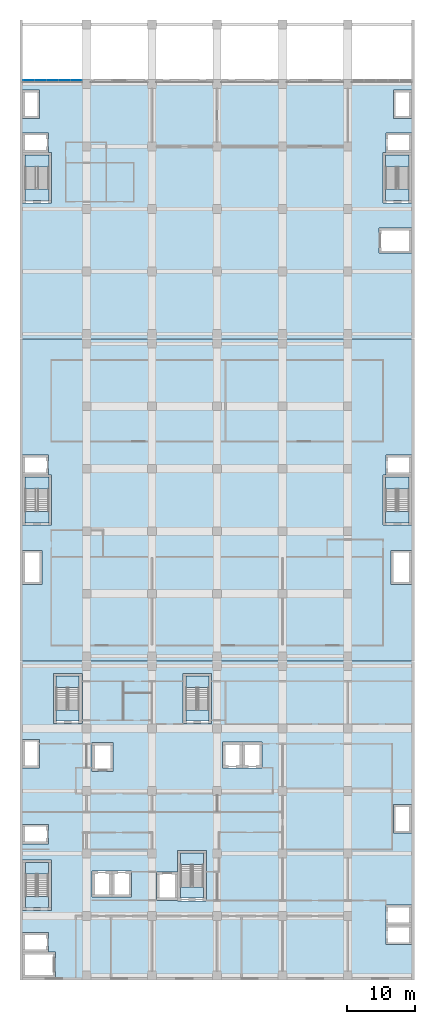
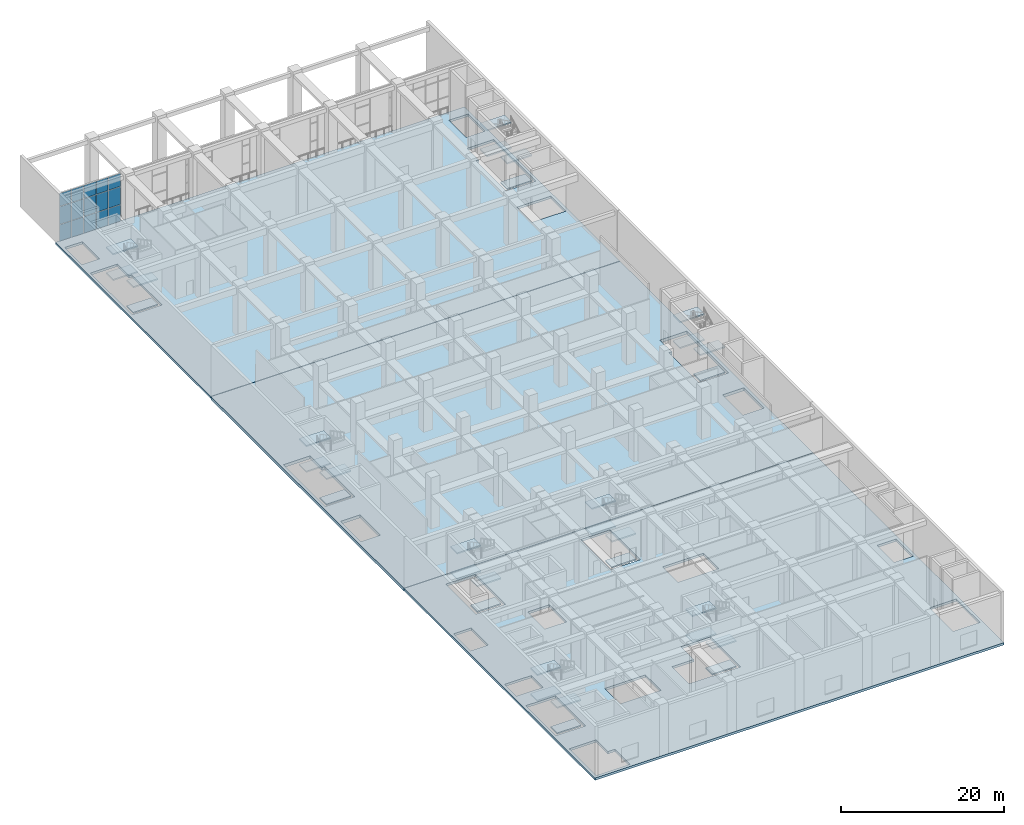
# One storey, part 8 of 33: 35 slabs, 15 plates, 9 elements without a shape of their own.
"""IFC4 building model written with IfcOpenShell, lengths in metres."""

from ifc_helpers import new_model, si_unit, direction, frame, origin, origin_2d, place, context, subcontext, project, spatial, polyline, rectangle, outline, extrude, material, layer, layer_set, type_object, element, aggregate, save


model = new_model("IFC4")

# Units and contexts
model_context = context("Model", 3, precision=1e-05, world=origin(), true_north=direction((0.0, 1.0)))
body_context = subcontext(model_context, "Body", "Model", "MODEL_VIEW")
ifc_project = project(units=[si_unit("LENGTHUNIT", "METRE"), si_unit("AREAUNIT", "SQUARE_METRE"), si_unit("VOLUMEUNIT", "CUBIC_METRE"), si_unit("PLANEANGLEUNIT", "RADIAN"), si_unit("MASSUNIT", "GRAM", prefix="KILO")], contexts=[model_context])

# Site, building, storey
site_placement = place(None, origin())
site = spatial("IfcSite", under=ifc_project, at=site_placement, CompositionType="ELEMENT")
building_placement = place(site_placement, origin())
building = spatial("IfcBuilding", under=site, at=building_placement, Name="Nzadi Deep Aquarium and Research Tower", CompositionType="ELEMENT")
storey_placement = place(building_placement, frame((0.0, 0.0, 6.5)))
storey = spatial("IfcBuildingStorey", under=building, at=storey_placement, Name="L01", CompositionType="ELEMENT", Elevation=6.5)

# Curtain wall, plates
ifc_material_1 = material(Name="Aluminium stick frame", Category="aluminium")
ifc_layer_1 = layer(ifc_material_1, 0.25)
ifc_layer_set_1 = layer_set([ifc_layer_1], Name="Aluminium stick frame")
curtain_wall_type = type_object("IfcCurtainWallType", Name="Curtain wall Stick 250", PredefinedType="NOTDEFINED", material=ifc_layer_set_1)
curtain_wall_placement = place(storey_placement, origin())
curtain_wall = element("IfcCurtainWall", 1, at=curtain_wall_placement, inside=storey, type_object=curtain_wall_type, Name="Lobby stick glazing L01", PredefinedType="NOTDEFINED")
ifc_material_2 = material(Name="Glass, deep ocean tint", Category="glass")
ifc_layer_2 = layer(ifc_material_2, 0.031982421875)
ifc_layer_set_2 = layer_set([ifc_layer_2], Name="Glass, deep ocean tint")
plate_type = type_object("IfcPlateType", Name="Glazing panel 32 Stick", PredefinedType="CURTAIN_PANEL", material=ifc_layer_set_2)
plate_1_placement = place(storey_placement, frame((1.090087890625, 132.125, 0.06005859375), z_axis=(0.0, 0.0, 1.0), x_axis=(1.0, 0.0, 0.0)))
plate_1 = element("IfcPlate", 2, at=plate_1_placement, type_object=plate_type, Name="CW226 panel 1.1", PredefinedType="CURTAIN_PANEL", context=body_context, shape_type="SweptSolid", body=[
    extrude(rectangle(XDim=1.659912109375, YDim=0.031982421875, at=origin_2d()), origin(), (0.0, 0.0, 1.0), 2.4599609375),
])
plate_2_placement = place(storey_placement, frame((1.090087890625, 132.125, 2.580078125), z_axis=(0.0, 0.0, 1.0), x_axis=(1.0, 0.0, 0.0)))
plate_2 = element("IfcPlate", 3, at=plate_2_placement, type_object=plate_type, Name="CW226 panel 1.2", PredefinedType="CURTAIN_PANEL", context=body_context, shape_type="SweptSolid", body=[
    extrude(rectangle(XDim=1.659912109375, YDim=0.031982421875, at=origin_2d()), origin(), (0.0, 0.0, 1.0), 2.638916015625),
])
plate_3_placement = place(storey_placement, frame((1.090087890625, 132.125, 5.27880859375), z_axis=(0.0, 0.0, 1.0), x_axis=(1.0, 0.0, 0.0)))
plate_3 = element("IfcPlate", 4, at=plate_3_placement, type_object=plate_type, Name="CW226 panel 1.3", PredefinedType="CURTAIN_PANEL", context=body_context, shape_type="SweptSolid", body=[
    extrude(rectangle(XDim=1.659912109375, YDim=0.031982421875, at=origin_2d()), origin(), (0.0, 0.0, 1.0), 1.950927734375),
])
plate_4_placement = place(storey_placement, frame((2.824951171875, 132.125, 0.06005859375), z_axis=(0.0, 0.0, 1.0), x_axis=(1.0, 0.0, 0.0)))
plate_4 = element("IfcPlate", 5, at=plate_4_placement, type_object=plate_type, Name="CW226 panel 2.1", PredefinedType="CURTAIN_PANEL", context=body_context, shape_type="SweptSolid", body=[
    extrude(rectangle(XDim=1.68994140625, YDim=0.031982421875, at=origin_2d()), origin(), (0.0, 0.0, 1.0), 2.4599609375),
])
plate_5_placement = place(storey_placement, frame((2.824951171875, 132.125, 2.580078125), z_axis=(0.0, 0.0, 1.0), x_axis=(1.0, 0.0, 0.0)))
plate_5 = element("IfcPlate", 6, at=plate_5_placement, type_object=plate_type, Name="CW226 panel 2.2", PredefinedType="CURTAIN_PANEL", context=body_context, shape_type="SweptSolid", body=[
    extrude(rectangle(XDim=1.68994140625, YDim=0.031982421875, at=origin_2d()), origin(), (0.0, 0.0, 1.0), 2.638916015625),
])
plate_6_placement = place(storey_placement, frame((2.824951171875, 132.125, 5.27880859375), z_axis=(0.0, 0.0, 1.0), x_axis=(1.0, 0.0, 0.0)))
plate_6 = element("IfcPlate", 7, at=plate_6_placement, type_object=plate_type, Name="CW226 panel 2.3", PredefinedType="CURTAIN_PANEL", context=body_context, shape_type="SweptSolid", body=[
    extrude(rectangle(XDim=1.68994140625, YDim=0.031982421875, at=origin_2d()), origin(), (0.0, 0.0, 1.0), 1.950927734375),
])
plate_7_placement = place(storey_placement, frame((4.574951171875, 132.125, 0.06005859375), z_axis=(0.0, 0.0, 1.0), x_axis=(1.0, 0.0, 0.0)))
plate_7 = element("IfcPlate", 8, at=plate_7_placement, type_object=plate_type, Name="CW226 panel 3.1", PredefinedType="CURTAIN_PANEL", context=body_context, shape_type="SweptSolid", body=[
    extrude(rectangle(XDim=1.68994140625, YDim=0.031982421875, at=origin_2d()), origin(), (0.0, 0.0, 1.0), 2.4599609375),
])
plate_8_placement = place(storey_placement, frame((4.574951171875, 132.125, 2.580078125), z_axis=(0.0, 0.0, 1.0), x_axis=(1.0, 0.0, 0.0)))
plate_8 = element("IfcPlate", 9, at=plate_8_placement, type_object=plate_type, Name="CW226 panel 3.2", PredefinedType="CURTAIN_PANEL", context=body_context, shape_type="SweptSolid", body=[
    extrude(rectangle(XDim=1.68994140625, YDim=0.031982421875, at=origin_2d()), origin(), (0.0, 0.0, 1.0), 2.638916015625),
])
plate_9_placement = place(storey_placement, frame((4.574951171875, 132.125, 5.27880859375), z_axis=(0.0, 0.0, 1.0), x_axis=(1.0, 0.0, 0.0)))
plate_9 = element("IfcPlate", 10, at=plate_9_placement, type_object=plate_type, Name="CW226 panel 3.3", PredefinedType="CURTAIN_PANEL", context=body_context, shape_type="SweptSolid", body=[
    extrude(rectangle(XDim=1.68994140625, YDim=0.031982421875, at=origin_2d()), origin(), (0.0, 0.0, 1.0), 1.950927734375),
])
plate_10_placement = place(storey_placement, frame((6.324951171875, 132.125, 0.06005859375), z_axis=(0.0, 0.0, 1.0), x_axis=(1.0, 0.0, 0.0)))
plate_10 = element("IfcPlate", 11, at=plate_10_placement, type_object=plate_type, Name="CW226 panel 4.1", PredefinedType="CURTAIN_PANEL", context=body_context, shape_type="SweptSolid", body=[
    extrude(rectangle(XDim=1.68994140625, YDim=0.031982421875, at=origin_2d()), origin(), (0.0, 0.0, 1.0), 2.4599609375),
])
plate_11_placement = place(storey_placement, frame((6.324951171875, 132.125, 2.580078125), z_axis=(0.0, 0.0, 1.0), x_axis=(1.0, 0.0, 0.0)))
plate_11 = element("IfcPlate", 12, at=plate_11_placement, type_object=plate_type, Name="CW226 panel 4.2", PredefinedType="CURTAIN_PANEL", context=body_context, shape_type="SweptSolid", body=[
    extrude(rectangle(XDim=1.68994140625, YDim=0.031982421875, at=origin_2d()), origin(), (0.0, 0.0, 1.0), 2.638916015625),
])
plate_12_placement = place(storey_placement, frame((6.324951171875, 132.125, 5.27880859375), z_axis=(0.0, 0.0, 1.0), x_axis=(1.0, 0.0, 0.0)))
plate_12 = element("IfcPlate", 13, at=plate_12_placement, type_object=plate_type, Name="CW226 panel 4.3", PredefinedType="CURTAIN_PANEL", context=body_context, shape_type="SweptSolid", body=[
    extrude(rectangle(XDim=1.68994140625, YDim=0.031982421875, at=origin_2d()), origin(), (0.0, 0.0, 1.0), 1.950927734375),
])
plate_13_placement = place(storey_placement, frame((8.06005859375, 132.125, 0.06005859375), z_axis=(0.0, 0.0, 1.0), x_axis=(1.0, 0.0, 0.0)))
plate_13 = element("IfcPlate", 14, at=plate_13_placement, type_object=plate_type, Name="CW226 panel 5.1", PredefinedType="CURTAIN_PANEL", context=body_context, shape_type="SweptSolid", body=[
    extrude(rectangle(XDim=1.659912109375, YDim=0.031982421875, at=origin_2d()), origin(), (0.0, 0.0, 1.0), 2.4599609375),
])
plate_14_placement = place(storey_placement, frame((8.06005859375, 132.125, 2.580078125), z_axis=(0.0, 0.0, 1.0), x_axis=(1.0, 0.0, 0.0)))
plate_14 = element("IfcPlate", 15, at=plate_14_placement, type_object=plate_type, Name="CW226 panel 5.2", PredefinedType="CURTAIN_PANEL", context=body_context, shape_type="SweptSolid", body=[
    extrude(rectangle(XDim=1.659912109375, YDim=0.031982421875, at=origin_2d()), origin(), (0.0, 0.0, 1.0), 2.638916015625),
])
plate_15_placement = place(storey_placement, frame((8.06005859375, 132.125, 5.27880859375), z_axis=(0.0, 0.0, 1.0), x_axis=(1.0, 0.0, 0.0)))
plate_15 = element("IfcPlate", 16, at=plate_15_placement, type_object=plate_type, Name="CW226 panel 5.3", PredefinedType="CURTAIN_PANEL", context=body_context, shape_type="SweptSolid", body=[
    extrude(rectangle(XDim=1.659912109375, YDim=0.031982421875, at=origin_2d()), origin(), (0.0, 0.0, 1.0), 1.950927734375),
])
aggregate(curtain_wall, [plate_1, plate_2, plate_3, plate_4, plate_5, plate_6, plate_7, plate_8, plate_9, plate_10, plate_11, plate_12, plate_13, plate_14, plate_15])

# Stair, slabs
ifc_material_3 = material(Name="Concrete C35/45", Category="concrete")
stair_type = type_object("IfcStairType", Name="STAIR RETURN 3000", PredefinedType="NOTDEFINED", material=ifc_material_3)
stair_1_placement = place(storey_placement, origin())
stair_1 = element("IfcStair", 17, at=stair_1_placement, inside=storey, type_object=stair_type, Name="Stair ST-Z1-SW L01", PredefinedType="DOUBLE_RETURN_STAIR")
ifc_material_4 = material(Name="Concrete C35/45", Category="concrete")
ifc_layer_3 = layer(ifc_material_4, 0.199951171875)
ifc_layer_set_3 = layer_set([ifc_layer_3], Name="Concrete C35/45")
slab_type_1 = type_object("IfcSlabType", Name="LANDING 200", PredefinedType="LANDING", material=ifc_layer_set_3)
slab_1_placement = place(storey_placement, frame((0.0, 0.0, -0.199951171875)))
slab_1 = element("IfcSlab", 18, at=slab_1_placement, type_object=slab_type_1, Name="ST-Z1-SW landing 1", PredefinedType="LANDING", context=body_context, shape_type="SweptSolid", body=[
    extrude(outline(polyline([(0.60009765625, 10.449951171875), (4.0, 10.449951171875), (4.0, 12.070068359375), (0.60009765625, 12.070068359375), (0.60009765625, 10.449951171875)])), origin(), (0.0, 0.0, 1.0), 0.199951171875),
])
slab_2_placement = place(storey_placement, frame((0.0, 0.0, 1.72509765625)))
slab_2 = element("IfcSlab", 19, at=slab_2_placement, type_object=slab_type_1, Name="ST-Z1-SW landing 2", PredefinedType="LANDING", context=body_context, shape_type="SweptSolid", body=[
    extrude(outline(polyline([(0.60009765625, 15.3701171875), (4.0, 15.3701171875), (4.0, 17.050048828125), (0.60009765625, 17.050048828125), (0.60009765625, 15.3701171875)])), origin(), (0.0, 0.0, 1.0), 0.199951171875),
])
slab_3_placement = place(storey_placement, frame((0.0, 0.0, 3.64990234375)))
slab_3 = element("IfcSlab", 20, at=slab_3_placement, type_object=slab_type_1, Name="ST-Z1-SW landing 3", PredefinedType="LANDING", context=body_context, shape_type="SweptSolid", body=[
    extrude(outline(polyline([(0.60009765625, 10.449951171875), (4.0, 10.449951171875), (4.0, 12.070068359375), (0.60009765625, 12.070068359375), (0.60009765625, 10.449951171875)])), origin(), (0.0, 0.0, 1.0), 0.2001953125),
])
slab_4_placement = place(storey_placement, frame((0.0, 0.0, 5.574951171875)))
slab_4 = element("IfcSlab", 21, at=slab_4_placement, type_object=slab_type_1, Name="ST-Z1-SW landing 4", PredefinedType="LANDING", context=body_context, shape_type="SweptSolid", body=[
    extrude(outline(polyline([(0.60009765625, 15.3701171875), (4.0, 15.3701171875), (4.0, 17.050048828125), (0.60009765625, 17.050048828125), (0.60009765625, 15.3701171875)])), origin(), (0.0, 0.0, 1.0), 0.199951171875),
])
aggregate(stair_1, [slab_1, slab_2, slab_3, slab_4])

stair_2_placement = place(storey_placement, origin())
stair_2 = element("IfcStair", 22, at=stair_2_placement, inside=storey, type_object=stair_type, Name="Stair ST-Z1-SE L01", PredefinedType="DOUBLE_RETURN_STAIR")
slab_5_placement = place(storey_placement, frame((0.0, 0.0, -0.199951171875)))
slab_5 = element("IfcSlab", 23, at=slab_5_placement, type_object=slab_type_1, Name="ST-Z1-SE landing 1", PredefinedType="LANDING", context=body_context, shape_type="SweptSolid", body=[
    extrude(outline(polyline([(23.39990234375, 11.85009765625), (26.800048828125, 11.85009765625), (26.800048828125, 13.469970703125), (23.39990234375, 13.469970703125), (23.39990234375, 11.85009765625)])), origin(), (0.0, 0.0, 1.0), 0.199951171875),
])
slab_6_placement = place(storey_placement, frame((0.0, 0.0, 1.72509765625)))
slab_6 = element("IfcSlab", 24, at=slab_6_placement, type_object=slab_type_1, Name="ST-Z1-SE landing 2", PredefinedType="LANDING", context=body_context, shape_type="SweptSolid", body=[
    extrude(outline(polyline([(23.39990234375, 16.77001953125), (26.800048828125, 16.77001953125), (26.800048828125, 18.449951171875), (23.39990234375, 18.449951171875), (23.39990234375, 16.77001953125)])), origin(), (0.0, 0.0, 1.0), 0.199951171875),
])
slab_7_placement = place(storey_placement, frame((0.0, 0.0, 3.64990234375)))
slab_7 = element("IfcSlab", 25, at=slab_7_placement, type_object=slab_type_1, Name="ST-Z1-SE landing 3", PredefinedType="LANDING", context=body_context, shape_type="SweptSolid", body=[
    extrude(outline(polyline([(23.39990234375, 11.85009765625), (26.800048828125, 11.85009765625), (26.800048828125, 13.469970703125), (23.39990234375, 13.469970703125), (23.39990234375, 11.85009765625)])), origin(), (0.0, 0.0, 1.0), 0.2001953125),
])
slab_8_placement = place(storey_placement, frame((0.0, 0.0, 5.574951171875)))
slab_8 = element("IfcSlab", 26, at=slab_8_placement, type_object=slab_type_1, Name="ST-Z1-SE landing 4", PredefinedType="LANDING", context=body_context, shape_type="SweptSolid", body=[
    extrude(outline(polyline([(23.39990234375, 16.77001953125), (26.800048828125, 16.77001953125), (26.800048828125, 18.449951171875), (23.39990234375, 18.449951171875), (23.39990234375, 16.77001953125)])), origin(), (0.0, 0.0, 1.0), 0.199951171875),
])
aggregate(stair_2, [slab_5, slab_6, slab_7, slab_8])

stair_3_placement = place(storey_placement, origin())
stair_3 = element("IfcStair", 27, at=stair_3_placement, inside=storey, type_object=stair_type, Name="Stair ST-Z1-NW L01", PredefinedType="DOUBLE_RETURN_STAIR")
slab_9_placement = place(storey_placement, frame((0.0, 0.0, -0.199951171875)))
slab_9 = element("IfcSlab", 28, at=slab_9_placement, type_object=slab_type_1, Name="ST-Z1-NW landing 1", PredefinedType="LANDING", context=body_context, shape_type="SweptSolid", body=[
    extrude(outline(polyline([(5.10009765625, 37.89990234375), (8.5, 37.89990234375), (8.5, 39.52001953125), (5.10009765625, 39.52001953125), (5.10009765625, 37.89990234375)])), origin(), (0.0, 0.0, 1.0), 0.199951171875),
])
slab_10_placement = place(storey_placement, frame((0.0, 0.0, 1.72509765625)))
slab_10 = element("IfcSlab", 29, at=slab_10_placement, type_object=slab_type_1, Name="ST-Z1-NW landing 2", PredefinedType="LANDING", context=body_context, shape_type="SweptSolid", body=[
    extrude(outline(polyline([(5.10009765625, 42.820068359375), (8.5, 42.820068359375), (8.5, 44.5), (5.10009765625, 44.5), (5.10009765625, 42.820068359375)])), origin(), (0.0, 0.0, 1.0), 0.199951171875),
])
slab_11_placement = place(storey_placement, frame((0.0, 0.0, 3.64990234375)))
slab_11 = element("IfcSlab", 30, at=slab_11_placement, type_object=slab_type_1, Name="ST-Z1-NW landing 3", PredefinedType="LANDING", context=body_context, shape_type="SweptSolid", body=[
    extrude(outline(polyline([(5.10009765625, 37.89990234375), (8.5, 37.89990234375), (8.5, 39.52001953125), (5.10009765625, 39.52001953125), (5.10009765625, 37.89990234375)])), origin(), (0.0, 0.0, 1.0), 0.2001953125),
])
slab_12_placement = place(storey_placement, frame((0.0, 0.0, 5.574951171875)))
slab_12 = element("IfcSlab", 31, at=slab_12_placement, type_object=slab_type_1, Name="ST-Z1-NW landing 4", PredefinedType="LANDING", context=body_context, shape_type="SweptSolid", body=[
    extrude(outline(polyline([(5.10009765625, 42.820068359375), (8.5, 42.820068359375), (8.5, 44.5), (5.10009765625, 44.5), (5.10009765625, 42.820068359375)])), origin(), (0.0, 0.0, 1.0), 0.199951171875),
])
aggregate(stair_3, [slab_9, slab_10, slab_11, slab_12])

stair_4_placement = place(storey_placement, origin())
stair_4 = element("IfcStair", 32, at=stair_4_placement, inside=storey, type_object=stair_type, Name="Stair ST-Z1-NE L01", PredefinedType="DOUBLE_RETURN_STAIR")
slab_13_placement = place(storey_placement, frame((0.0, 0.0, -0.199951171875)))
slab_13 = element("IfcSlab", 33, at=slab_13_placement, type_object=slab_type_1, Name="ST-Z1-NE landing 1", PredefinedType="LANDING", context=body_context, shape_type="SweptSolid", body=[
    extrude(outline(polyline([(24.199951171875, 37.89990234375), (27.60009765625, 37.89990234375), (27.60009765625, 39.52001953125), (24.199951171875, 39.52001953125), (24.199951171875, 37.89990234375)])), origin(), (0.0, 0.0, 1.0), 0.199951171875),
])
slab_14_placement = place(storey_placement, frame((0.0, 0.0, 1.72509765625)))
slab_14 = element("IfcSlab", 34, at=slab_14_placement, type_object=slab_type_1, Name="ST-Z1-NE landing 2", PredefinedType="LANDING", context=body_context, shape_type="SweptSolid", body=[
    extrude(outline(polyline([(24.199951171875, 42.820068359375), (27.60009765625, 42.820068359375), (27.60009765625, 44.5), (24.199951171875, 44.5), (24.199951171875, 42.820068359375)])), origin(), (0.0, 0.0, 1.0), 0.199951171875),
])
slab_15_placement = place(storey_placement, frame((0.0, 0.0, 3.64990234375)))
slab_15 = element("IfcSlab", 35, at=slab_15_placement, type_object=slab_type_1, Name="ST-Z1-NE landing 3", PredefinedType="LANDING", context=body_context, shape_type="SweptSolid", body=[
    extrude(outline(polyline([(24.199951171875, 37.89990234375), (27.60009765625, 37.89990234375), (27.60009765625, 39.52001953125), (24.199951171875, 39.52001953125), (24.199951171875, 37.89990234375)])), origin(), (0.0, 0.0, 1.0), 0.2001953125),
])
slab_16_placement = place(storey_placement, frame((0.0, 0.0, 5.574951171875)))
slab_16 = element("IfcSlab", 36, at=slab_16_placement, type_object=slab_type_1, Name="ST-Z1-NE landing 4", PredefinedType="LANDING", context=body_context, shape_type="SweptSolid", body=[
    extrude(outline(polyline([(24.199951171875, 42.820068359375), (27.60009765625, 42.820068359375), (27.60009765625, 44.5), (24.199951171875, 44.5), (24.199951171875, 42.820068359375)])), origin(), (0.0, 0.0, 1.0), 0.199951171875),
])
aggregate(stair_4, [slab_13, slab_14, slab_15, slab_16])

stair_5_placement = place(storey_placement, origin())
stair_5 = element("IfcStair", 37, at=stair_5_placement, inside=storey, type_object=stair_type, Name="Stair ST-Z2-W L01", PredefinedType="DOUBLE_RETURN_STAIR")
slab_17_placement = place(storey_placement, frame((0.0, 0.0, -0.199951171875)))
slab_17 = element("IfcSlab", 38, at=slab_17_placement, type_object=slab_type_1, Name="ST-Z2-W landing 1", PredefinedType="LANDING", context=body_context, shape_type="SweptSolid", body=[
    extrude(outline(polyline([(0.550048828125, 67.050048828125), (4.050048828125, 67.050048828125), (4.050048828125, 68.7099609375), (0.550048828125, 68.7099609375), (0.550048828125, 67.050048828125)])), origin(), (0.0, 0.0, 1.0), 0.199951171875),
])
slab_18_placement = place(storey_placement, frame((0.0, 0.0, 1.72509765625)))
slab_18 = element("IfcSlab", 39, at=slab_18_placement, type_object=slab_type_1, Name="ST-Z2-W landing 2", PredefinedType="LANDING", context=body_context, shape_type="SweptSolid", body=[
    extrude(outline(polyline([(0.550048828125, 72.010009765625), (4.050048828125, 72.010009765625), (4.050048828125, 73.75), (0.550048828125, 73.75), (0.550048828125, 72.010009765625)])), origin(), (0.0, 0.0, 1.0), 0.199951171875),
])
slab_19_placement = place(storey_placement, frame((0.0, 0.0, 3.64990234375)))
slab_19 = element("IfcSlab", 40, at=slab_19_placement, type_object=slab_type_1, Name="ST-Z2-W landing 3", PredefinedType="LANDING", context=body_context, shape_type="SweptSolid", body=[
    extrude(outline(polyline([(0.550048828125, 67.050048828125), (4.050048828125, 67.050048828125), (4.050048828125, 68.7099609375), (0.550048828125, 68.7099609375), (0.550048828125, 67.050048828125)])), origin(), (0.0, 0.0, 1.0), 0.2001953125),
])
slab_20_placement = place(storey_placement, frame((0.0, 0.0, 5.574951171875)))
slab_20 = element("IfcSlab", 41, at=slab_20_placement, type_object=slab_type_1, Name="ST-Z2-W landing 4", PredefinedType="LANDING", context=body_context, shape_type="SweptSolid", body=[
    extrude(outline(polyline([(0.550048828125, 72.010009765625), (4.050048828125, 72.010009765625), (4.050048828125, 73.75), (0.550048828125, 73.75), (0.550048828125, 72.010009765625)])), origin(), (0.0, 0.0, 1.0), 0.199951171875),
])
aggregate(stair_5, [slab_17, slab_18, slab_19, slab_20])

stair_6_placement = place(storey_placement, origin())
stair_6 = element("IfcStair", 42, at=stair_6_placement, inside=storey, type_object=stair_type, Name="Stair ST-Z2-E L01", PredefinedType="DOUBLE_RETURN_STAIR")
slab_21_placement = place(storey_placement, frame((0.0, 0.0, -0.199951171875)))
slab_21 = element("IfcSlab", 43, at=slab_21_placement, type_object=slab_type_1, Name="ST-Z2-E landing 1", PredefinedType="LANDING", context=body_context, shape_type="SweptSolid", body=[
    extrude(outline(polyline([(57.050048828125, 68.7099609375), (53.550048828125, 68.7099609375), (53.550048828125, 67.050048828125), (57.050048828125, 67.050048828125), (57.050048828125, 68.7099609375)])), origin(), (0.0, 0.0, 1.0), 0.199951171875),
])
slab_22_placement = place(storey_placement, frame((0.0, 0.0, 1.72509765625)))
slab_22 = element("IfcSlab", 44, at=slab_22_placement, type_object=slab_type_1, Name="ST-Z2-E landing 2", PredefinedType="LANDING", context=body_context, shape_type="SweptSolid", body=[
    extrude(outline(polyline([(57.050048828125, 73.75), (53.550048828125, 73.75), (53.550048828125, 72.010009765625), (57.050048828125, 72.010009765625), (57.050048828125, 73.75)])), origin(), (0.0, 0.0, 1.0), 0.199951171875),
])
slab_23_placement = place(storey_placement, frame((0.0, 0.0, 3.64990234375)))
slab_23 = element("IfcSlab", 45, at=slab_23_placement, type_object=slab_type_1, Name="ST-Z2-E landing 3", PredefinedType="LANDING", context=body_context, shape_type="SweptSolid", body=[
    extrude(outline(polyline([(57.050048828125, 68.7099609375), (53.550048828125, 68.7099609375), (53.550048828125, 67.050048828125), (57.050048828125, 67.050048828125), (57.050048828125, 68.7099609375)])), origin(), (0.0, 0.0, 1.0), 0.2001953125),
])
slab_24_placement = place(storey_placement, frame((0.0, 0.0, 5.574951171875)))
slab_24 = element("IfcSlab", 46, at=slab_24_placement, type_object=slab_type_1, Name="ST-Z2-E landing 4", PredefinedType="LANDING", context=body_context, shape_type="SweptSolid", body=[
    extrude(outline(polyline([(57.050048828125, 73.75), (53.550048828125, 73.75), (53.550048828125, 72.010009765625), (57.050048828125, 72.010009765625), (57.050048828125, 73.75)])), origin(), (0.0, 0.0, 1.0), 0.199951171875),
])
aggregate(stair_6, [slab_21, slab_22, slab_23, slab_24])

stair_7_placement = place(storey_placement, origin())
stair_7 = element("IfcStair", 47, at=stair_7_placement, inside=storey, type_object=stair_type, Name="Stair ST-Z3-W L01", PredefinedType="DOUBLE_RETURN_STAIR")
slab_25_placement = place(storey_placement, frame((0.0, 0.0, -0.199951171875)))
slab_25 = element("IfcSlab", 48, at=slab_25_placement, type_object=slab_type_1, Name="ST-Z3-W landing 1", PredefinedType="LANDING", context=body_context, shape_type="SweptSolid", body=[
    extrude(outline(polyline([(0.550048828125, 114.449951171875), (4.050048828125, 114.449951171875), (4.050048828125, 116.110107421875), (0.550048828125, 116.110107421875), (0.550048828125, 114.449951171875)])), origin(), (0.0, 0.0, 1.0), 0.199951171875),
])
slab_26_placement = place(storey_placement, frame((0.0, 0.0, 1.72509765625)))
slab_26 = element("IfcSlab", 49, at=slab_26_placement, type_object=slab_type_1, Name="ST-Z3-W landing 2", PredefinedType="LANDING", context=body_context, shape_type="SweptSolid", body=[
    extrude(outline(polyline([(0.550048828125, 119.409912109375), (4.050048828125, 119.409912109375), (4.050048828125, 121.14990234375), (0.550048828125, 121.14990234375), (0.550048828125, 119.409912109375)])), origin(), (0.0, 0.0, 1.0), 0.199951171875),
])
slab_27_placement = place(storey_placement, frame((0.0, 0.0, 3.64990234375)))
slab_27 = element("IfcSlab", 50, at=slab_27_placement, type_object=slab_type_1, Name="ST-Z3-W landing 3", PredefinedType="LANDING", context=body_context, shape_type="SweptSolid", body=[
    extrude(outline(polyline([(0.550048828125, 114.449951171875), (4.050048828125, 114.449951171875), (4.050048828125, 116.110107421875), (0.550048828125, 116.110107421875), (0.550048828125, 114.449951171875)])), origin(), (0.0, 0.0, 1.0), 0.2001953125),
])
slab_28_placement = place(storey_placement, frame((0.0, 0.0, 5.574951171875)))
slab_28 = element("IfcSlab", 51, at=slab_28_placement, type_object=slab_type_1, Name="ST-Z3-W landing 4", PredefinedType="LANDING", context=body_context, shape_type="SweptSolid", body=[
    extrude(outline(polyline([(0.550048828125, 119.409912109375), (4.050048828125, 119.409912109375), (4.050048828125, 121.14990234375), (0.550048828125, 121.14990234375), (0.550048828125, 119.409912109375)])), origin(), (0.0, 0.0, 1.0), 0.199951171875),
])
aggregate(stair_7, [slab_25, slab_26, slab_27, slab_28])

stair_8_placement = place(storey_placement, origin())
stair_8 = element("IfcStair", 52, at=stair_8_placement, inside=storey, type_object=stair_type, Name="Stair ST-Z3-E L01", PredefinedType="DOUBLE_RETURN_STAIR")
slab_29_placement = place(storey_placement, frame((0.0, 0.0, -0.199951171875)))
slab_29 = element("IfcSlab", 53, at=slab_29_placement, type_object=slab_type_1, Name="ST-Z3-E landing 1", PredefinedType="LANDING", context=body_context, shape_type="SweptSolid", body=[
    extrude(outline(polyline([(57.050048828125, 116.110107421875), (53.550048828125, 116.110107421875), (53.550048828125, 114.449951171875), (57.050048828125, 114.449951171875), (57.050048828125, 116.110107421875)])), origin(), (0.0, 0.0, 1.0), 0.199951171875),
])
slab_30_placement = place(storey_placement, frame((0.0, 0.0, 1.72509765625)))
slab_30 = element("IfcSlab", 54, at=slab_30_placement, type_object=slab_type_1, Name="ST-Z3-E landing 2", PredefinedType="LANDING", context=body_context, shape_type="SweptSolid", body=[
    extrude(outline(polyline([(57.050048828125, 121.14990234375), (53.550048828125, 121.14990234375), (53.550048828125, 119.409912109375), (57.050048828125, 119.409912109375), (57.050048828125, 121.14990234375)])), origin(), (0.0, 0.0, 1.0), 0.199951171875),
])
slab_31_placement = place(storey_placement, frame((0.0, 0.0, 3.64990234375)))
slab_31 = element("IfcSlab", 55, at=slab_31_placement, type_object=slab_type_1, Name="ST-Z3-E landing 3", PredefinedType="LANDING", context=body_context, shape_type="SweptSolid", body=[
    extrude(outline(polyline([(57.050048828125, 116.110107421875), (53.550048828125, 116.110107421875), (53.550048828125, 114.449951171875), (57.050048828125, 114.449951171875), (57.050048828125, 116.110107421875)])), origin(), (0.0, 0.0, 1.0), 0.2001953125),
])
slab_32_placement = place(storey_placement, frame((0.0, 0.0, 5.574951171875)))
slab_32 = element("IfcSlab", 56, at=slab_32_placement, type_object=slab_type_1, Name="ST-Z3-E landing 4", PredefinedType="LANDING", context=body_context, shape_type="SweptSolid", body=[
    extrude(outline(polyline([(57.050048828125, 121.14990234375), (53.550048828125, 121.14990234375), (53.550048828125, 119.409912109375), (57.050048828125, 119.409912109375), (57.050048828125, 121.14990234375)])), origin(), (0.0, 0.0, 1.0), 0.199951171875),
])
aggregate(stair_8, [slab_29, slab_30, slab_31, slab_32])

# Slabs
ifc_material_5 = material(Name="Concrete C35/45", Category="concrete")
ifc_layer_4 = layer(ifc_material_5, 0.35009765625)
ifc_layer_set_4 = layer_set([ifc_layer_4], Name="Concrete C35/45")
slab_type_2 = type_object("IfcSlabType", Name="RC floor slab 350", PredefinedType="FLOOR", material=ifc_layer_set_4)
slab_33_placement = place(storey_placement, frame((0.0, 0.0, -0.35009765625)))
element("IfcSlab", 57, at=slab_33_placement, inside=storey, type_object=slab_type_2, Name="Floor slab Z1 L01", PredefinedType="FLOOR", context=body_context, shape_type="SweptSolid", body=[
    extrude(outline(polyline([(-0.199462890625, -0.199951171875), (57.799560546875, -0.199951171875), (57.799560546875, 46.679931640625), (-0.199462890625, 46.679931640625), (-0.199462890625, -0.199951171875)]), holes=[polyline([(4.39990234375, 17.449951171875), (4.39990234375, 10.050048828125), (0.199951171875, 10.050048828125), (0.199951171875, 17.449951171875), (4.39990234375, 17.449951171875)]), polyline([(19.89990234375, 15.699951171875), (23.0, 15.699951171875), (23.0, 18.85009765625), (27.199951171875, 18.85009765625), (27.199951171875, 11.449951171875), (23.0, 11.449951171875), (23.0, 11.5), (19.89990234375, 11.5), (19.89990234375, 15.699951171875)]), polyline([(4.699951171875, 37.5), (4.699951171875, 44.89990234375), (8.89990234375, 44.89990234375), (8.89990234375, 37.5), (4.699951171875, 37.5)]), polyline([(23.800048828125, 44.89990234375), (28.0, 44.89990234375), (28.0, 37.5), (23.800048828125, 37.5), (23.800048828125, 44.89990234375)]), polyline([(0.199951171875, 0.199951171875), (0.199951171875, 3.89990234375), (0.199951171875, 6.800048828125), (4.0, 6.800048828125), (4.0, 3.89990234375), (5.0, 3.89990234375), (5.0, 0.199951171875), (0.199951171875, 0.199951171875)]), polyline([(0.199951171875, 19.800048828125), (0.199951171875, 22.699951171875), (4.0, 22.699951171875), (4.0, 19.800048828125), (0.199951171875, 19.800048828125)]), polyline([(57.39990234375, 7.89990234375), (57.39990234375, 5.0), (53.60009765625, 5.0), (53.60009765625, 7.89990234375), (53.60009765625, 10.800048828125), (57.39990234375, 10.800048828125), (57.39990234375, 7.89990234375)]), polyline([(2.699951171875, 31.0), (0.199951171875, 31.0), (0.199951171875, 35.199951171875), (2.699951171875, 35.199951171875), (2.699951171875, 31.0)]), polyline([(54.699951171875, 21.39990234375), (54.699951171875, 25.60009765625), (57.39990234375, 25.60009765625), (57.39990234375, 21.39990234375), (54.699951171875, 21.39990234375)]), polyline([(16.199951171875, 15.800048828125), (16.199951171875, 12.0), (13.300048828125, 12.0), (10.39990234375, 12.0), (10.39990234375, 15.800048828125), (13.300048828125, 15.800048828125), (16.199951171875, 15.800048828125)]), polyline([(10.39990234375, 30.5), (10.39990234375, 34.699951171875), (13.5, 34.699951171875), (13.5, 30.5), (10.39990234375, 30.5)]), polyline([(29.60009765625, 34.800048828125), (32.5, 34.800048828125), (35.39990234375, 34.800048828125), (35.39990234375, 31.0), (32.5, 31.0), (29.60009765625, 31.0), (29.60009765625, 34.800048828125)])]), origin(), (0.0, 0.0, 1.0), 0.35009765625),
])
slab_34_placement = place(storey_placement, frame((0.0, 0.0, -0.35009765625)))
element("IfcSlab", 58, at=slab_34_placement, inside=storey, type_object=slab_type_2, Name="Floor slab Z3 L01", PredefinedType="FLOOR", context=body_context, shape_type="SweptSolid", body=[
    extrude(outline(polyline([(57.799560546875, 132.25), (-0.199462890625, 132.25), (-0.199462890625, 94.1201171875), (57.799560546875, 94.1201171875), (57.799560546875, 132.25)]), holes=[polyline([(4.0, 124.39990234375), (4.0, 121.5), (4.39990234375, 121.5), (4.39990234375, 114.10009765625), (0.199951171875, 114.10009765625), (0.199951171875, 121.5), (0.199951171875, 124.39990234375), (4.0, 124.39990234375)]), polyline([(57.39990234375, 124.39990234375), (57.39990234375, 121.5), (57.39990234375, 114.10009765625), (53.199951171875, 114.10009765625), (53.199951171875, 121.5), (53.60009765625, 121.5), (53.60009765625, 124.39990234375), (57.39990234375, 124.39990234375)]), polyline([(52.60009765625, 106.699951171875), (52.60009765625, 110.39990234375), (57.39990234375, 110.39990234375), (57.39990234375, 106.699951171875), (52.60009765625, 106.699951171875)]), polyline([(0.199951171875, 130.699951171875), (2.699951171875, 130.699951171875), (2.699951171875, 126.5), (0.199951171875, 126.5), (0.199951171875, 130.699951171875)]), polyline([(57.39990234375, 130.699951171875), (57.39990234375, 126.5), (54.699951171875, 126.5), (54.699951171875, 130.699951171875), (57.39990234375, 130.699951171875)])]), origin(), (0.0, 0.0, 1.0), 0.35009765625),
])
ifc_material_6 = material(Name="Concrete C35/45", Category="concrete")
ifc_layer_5 = layer(ifc_material_6, 0.449951171875)
ifc_layer_set_5 = layer_set([ifc_layer_5], Name="Concrete C35/45")
slab_type_3 = type_object("IfcSlabType", Name="RC floor slab 450", PredefinedType="FLOOR", material=ifc_layer_set_5)
slab_35_placement = place(storey_placement, frame((0.0, 0.0, -0.449951171875)))
element("IfcSlab", 59, at=slab_35_placement, inside=storey, type_object=slab_type_3, Name="Floor slab Z2 L01", PredefinedType="FLOOR", context=body_context, shape_type="SweptSolid", body=[
    extrude(outline(polyline([(-0.199462890625, 94.080078125), (-0.199462890625, 46.719970703125), (57.799560546875, 46.719970703125), (57.799560546875, 94.080078125), (-0.199462890625, 94.080078125)]), holes=[polyline([(4.0, 74.10009765625), (4.39990234375, 74.10009765625), (4.39990234375, 66.699951171875), (0.199951171875, 66.699951171875), (0.199951171875, 74.10009765625), (0.199951171875, 77.0), (4.0, 77.0), (4.0, 74.10009765625)]), polyline([(57.39990234375, 74.10009765625), (57.39990234375, 66.699951171875), (53.199951171875, 66.699951171875), (53.199951171875, 74.10009765625), (53.60009765625, 74.10009765625), (53.60009765625, 77.0), (57.39990234375, 77.0), (57.39990234375, 74.10009765625)]), polyline([(0.199951171875, 63.0), (3.0, 63.0), (3.0, 58.0), (0.199951171875, 58.0), (0.199951171875, 63.0)]), polyline([(57.39990234375, 63.0), (57.39990234375, 58.0), (54.39990234375, 58.0), (54.39990234375, 63.0), (57.39990234375, 63.0)])]), origin(), (0.0, 0.0, 1.0), 0.449951171875),
])

save(model, "model.ifc")
